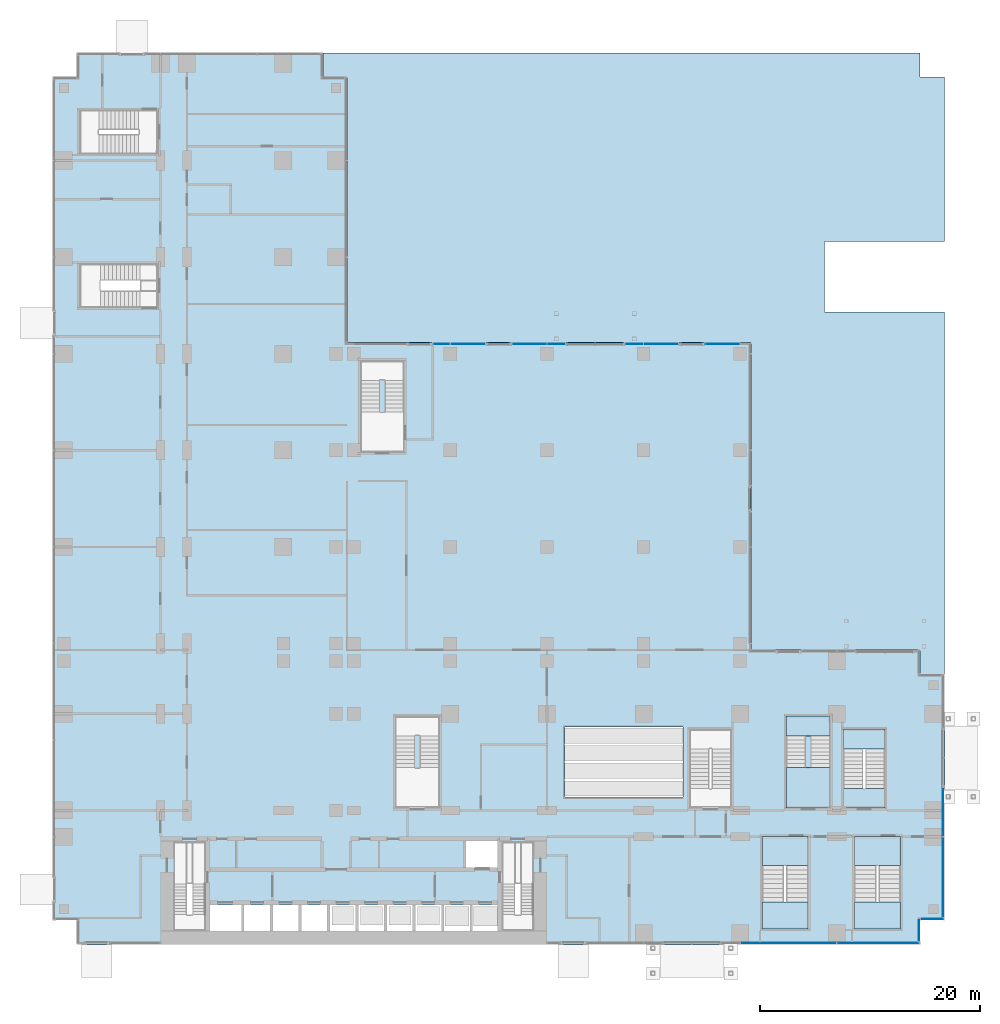
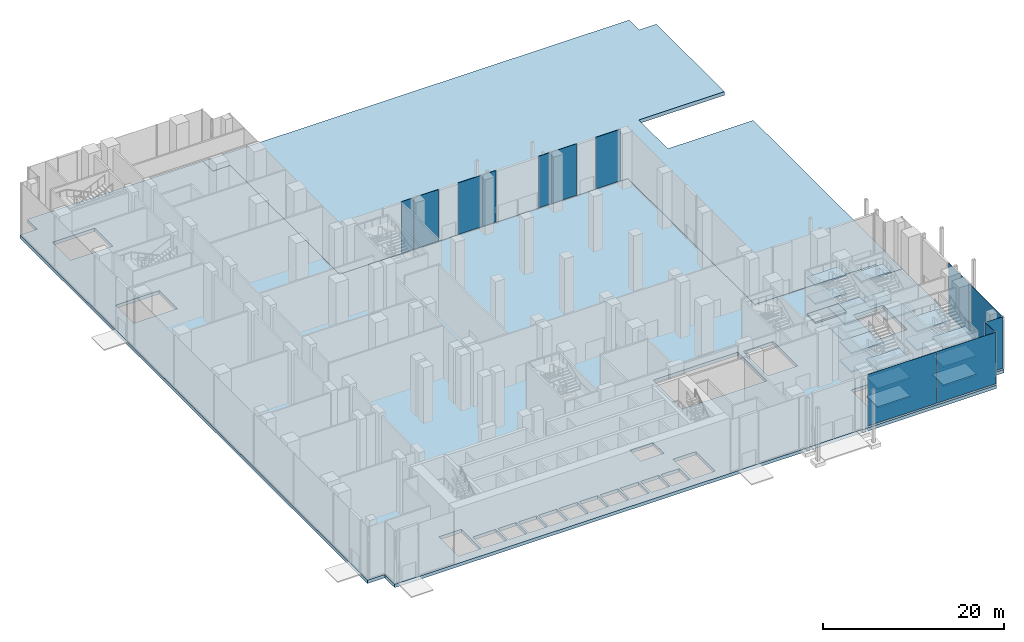
# One storey, part 20 of 41: 20 slabs, 13 plates, 12 elements without a shape of their own.
"""IFC4 building model written with IfcOpenShell, lengths in metres."""

from ifc_helpers import new_model, si_unit, direction, frame, origin, origin_2d, place, context, subcontext, project, spatial, polyline, rectangle, outline, extrude, source, transform, mapped, material, layer, layer_set, type_object, element, aggregate, save


model = new_model("IFC4")

# Units and contexts
model_context = context("Model", 3, precision=1e-05, world=origin(), true_north=direction((0.0, 1.0)))
body_context = subcontext(model_context, "Body", "Model", "MODEL_VIEW")
ifc_project = project(units=[si_unit("LENGTHUNIT", "METRE"), si_unit("AREAUNIT", "SQUARE_METRE"), si_unit("VOLUMEUNIT", "CUBIC_METRE"), si_unit("PLANEANGLEUNIT", "RADIAN"), si_unit("MASSUNIT", "GRAM", prefix="KILO")], contexts=[model_context])

# Site, building, storey
site_placement = place(None, origin())
site = spatial("IfcSite", under=ifc_project, at=site_placement, CompositionType="ELEMENT")
building_placement = place(site_placement, origin())
building = spatial("IfcBuilding", under=site, at=building_placement, Name="Kemantara Hotel Tower", CompositionType="ELEMENT")
storey_placement = place(building_placement, origin())
storey = spatial("IfcBuildingStorey", under=building, at=storey_placement, Name="L00", CompositionType="ELEMENT", Elevation=0.0)

# Slabs
ifc_material_1 = material(Name="Concrete fc 40 MPa", Category="concrete")
ifc_layer_1 = layer(ifc_material_1, 0.449951171875)
ifc_layer_set_1 = layer_set([ifc_layer_1], Name="Concrete fc 40 MPa")
slab_type_1 = type_object("IfcSlabType", Name="REINFORCED DECK SLAB 450", PredefinedType="FLOOR", material=ifc_layer_set_1)
slab_1_placement = place(storey_placement, frame((0.0, 0.0, -0.449951171875)))
element("IfcSlab", 1, at=slab_1_placement, inside=storey, type_object=slab_type_1, Name="FLOOR SLAB L00", PredefinedType="FLOOR", context=body_context, shape_type="SweptSolid", body=[
    extrude(outline(polyline([(0.0, 2.199951171875), (2.199951171875, 2.199951171875), (2.199951171875, 0.0), (79.0, 0.0), (79.0, 2.199951171875), (81.199951171875, 2.199951171875), (81.199951171875, 24.60009765625), (79.0, 24.60009765625), (79.0, 26.800048828125), (63.60009765625, 26.800048828125), (63.60009765625, 54.800048828125), (26.800048828125, 54.800048828125), (26.800048828125, 79.0), (24.60009765625, 79.0), (24.60009765625, 81.199951171875), (2.199951171875, 81.199951171875), (2.199951171875, 79.0), (0.0, 79.0), (0.0, 2.199951171875)]), holes=[polyline([(17.175048828125, 1.199951171875), (14.22509765625, 1.199951171875), (14.22509765625, 3.60009765625), (17.175048828125, 3.60009765625), (17.175048828125, 1.199951171875)]), polyline([(19.77490234375, 1.199951171875), (17.425048828125, 1.199951171875), (17.425048828125, 3.60009765625), (19.77490234375, 3.60009765625), (19.77490234375, 1.199951171875)]), polyline([(22.375, 1.199951171875), (20.02490234375, 1.199951171875), (20.02490234375, 3.60009765625), (22.375, 3.60009765625), (22.375, 1.199951171875)]), polyline([(22.625, 1.199951171875), (22.625, 3.60009765625), (24.97509765625, 3.60009765625), (24.97509765625, 1.199951171875), (22.625, 1.199951171875)]), polyline([(25.22509765625, 1.199951171875), (25.22509765625, 3.60009765625), (27.574951171875, 3.60009765625), (27.574951171875, 1.199951171875), (25.22509765625, 1.199951171875)]), polyline([(30.175048828125, 1.199951171875), (27.824951171875, 1.199951171875), (27.824951171875, 3.60009765625), (30.175048828125, 3.60009765625), (30.175048828125, 1.199951171875)]), polyline([(32.77490234375, 1.199951171875), (30.425048828125, 1.199951171875), (30.425048828125, 3.60009765625), (32.77490234375, 3.60009765625), (32.77490234375, 1.199951171875)]), polyline([(11.0, 1.199951171875), (11.0, 5.49951171875), (13.89990234375, 5.49951171875), (13.89990234375, 1.199951171875), (11.0, 1.199951171875)]), polyline([(7.949462890625, 62.0), (7.949462890625, 58.0), (2.39990234375, 58.0), (2.39990234375, 62.0), (7.949462890625, 62.0)]), polyline([(7.79931640625, 76.0), (7.79931640625, 72.0), (2.39990234375, 72.0), (2.39990234375, 76.0), (7.79931640625, 76.0)]), polyline([(35.375, 1.199951171875), (33.02490234375, 1.199951171875), (33.02490234375, 3.60009765625), (35.375, 3.60009765625), (35.375, 1.199951171875)]), polyline([(37.97509765625, 1.199951171875), (35.625, 1.199951171875), (35.625, 3.60009765625), (37.97509765625, 3.60009765625), (37.97509765625, 1.199951171875)]), polyline([(40.574951171875, 1.199951171875), (38.22509765625, 1.199951171875), (38.22509765625, 3.60009765625), (40.574951171875, 3.60009765625), (40.574951171875, 1.199951171875)]), polyline([(40.89990234375, 5.49951171875), (43.800048828125, 5.49951171875), (43.800048828125, 1.199951171875), (40.89990234375, 1.199951171875), (40.89990234375, 5.49951171875)]), polyline([(64.60009765625, 7.199462890625), (68.800048828125, 7.199462890625), (68.800048828125, 1.39990234375), (64.60009765625, 1.39990234375), (64.60009765625, 7.199462890625)]), polyline([(73.0, 1.39990234375), (73.0, 7.199462890625), (77.199951171875, 7.199462890625), (77.199951171875, 1.39990234375), (73.0, 1.39990234375)]), polyline([(40.574951171875, 7.0), (37.625, 7.0), (37.625, 9.39990234375), (40.574951171875, 9.39990234375), (40.574951171875, 7.0)]), polyline([(57.39990234375, 13.39990234375), (46.60009765625, 13.39990234375), (46.60009765625, 19.800048828125), (57.39990234375, 19.800048828125), (57.39990234375, 13.39990234375)]), polyline([(61.800048828125, 14.20068359375), (58.0, 14.20068359375), (58.0, 19.60009765625), (61.800048828125, 19.60009765625), (61.800048828125, 14.20068359375)]), polyline([(75.800048828125, 14.20068359375), (72.0, 14.20068359375), (72.0, 19.60009765625), (75.800048828125, 19.60009765625), (75.800048828125, 14.20068359375)])]), origin(), (0.0, 0.0, 1.0), 0.449951171875),
])
ifc_layer_2 = layer(ifc_material_1, 0.5)
ifc_layer_set_2 = layer_set([ifc_layer_2], Name="Concrete fc 40 MPa")
slab_type_2 = type_object("IfcSlabType", Name="REINFORCED DECK SLAB 500", PredefinedType="FLOOR", material=ifc_layer_set_2)
slab_2_placement = place(storey_placement, frame((0.0, 0.0, -0.5)))
element("IfcSlab", 2, at=slab_2_placement, inside=storey, type_object=slab_type_2, Name="PLAZA DECK SLAB", PredefinedType="FLOOR", context=body_context, shape_type="SweptSolid", body=[
    extrude(outline(polyline([(81.199951171875, 24.60009765625), (81.199951171875, 57.60009765625), (70.2900390625, 57.60009765625), (70.2900390625, 64.0), (81.199951171875, 64.0), (81.199951171875, 79.0), (79.0, 79.0), (79.0, 81.199951171875), (24.60009765625, 81.199951171875), (24.60009765625, 79.0), (26.800048828125, 79.0), (26.800048828125, 54.800048828125), (63.60009765625, 54.800048828125), (63.60009765625, 26.800048828125), (79.0, 26.800048828125), (79.0, 24.60009765625), (81.199951171875, 24.60009765625)])), origin(), (0.0, 0.0, 1.0), 0.5),
])

# Stair, slabs
stair_type_1 = type_object("IfcStairType", Name="Stair 1800 wide 44 risers of 170 x 360 mm", PredefinedType="HALF_TURN_STAIR", material=ifc_material_1)
stair_1_placement = place(storey_placement, origin())
stair_1 = element("IfcStair", 3, at=stair_1_placement, inside=storey, type_object=stair_type_1, Name="L00 Exit stair ST5", PredefinedType="HALF_TURN_STAIR")
ifc_layer_3 = layer(ifc_material_1, 0.199951171875)
ifc_layer_set_3 = layer_set([ifc_layer_3], Name="Concrete fc 40 MPa")
slab_type_3 = type_object("IfcSlabType", Name="Stair landing 200 mm", PredefinedType="LANDING", material=ifc_layer_set_3)
slab_3_placement = place(storey_placement, frame((0.0, 0.0, 1.675048828125)))
slab_3 = element("IfcSlab", 4, at=slab_3_placement, type_object=slab_type_3, Name="ST5 landing 1", PredefinedType="LANDING", context=body_context, shape_type="SweptSolid", body=[
    extrude(outline(polyline([(75.800048828125, 17.800048828125), (75.800048828125, 19.60009765625), (72.0, 19.60009765625), (72.0, 17.800048828125), (75.800048828125, 17.800048828125)])), origin(), (0.0, 0.0, 1.0), 0.199951171875),
])
slab_4_placement = place(storey_placement, frame((0.0, 0.0, 3.550048828125)))
slab_4 = element("IfcSlab", 5, at=slab_4_placement, type_object=slab_type_3, Name="ST5 landing 2", PredefinedType="LANDING", context=body_context, shape_type="SweptSolid", body=[
    extrude(outline(polyline([(75.800048828125, 12.39990234375), (75.800048828125, 14.199951171875), (72.0, 14.199951171875), (72.0, 12.39990234375), (75.800048828125, 12.39990234375)])), origin(), (0.0, 0.0, 1.0), 0.199951171875),
])
slab_5_placement = place(storey_placement, frame((0.0, 0.0, 5.425048828125)))
slab_5 = element("IfcSlab", 6, at=slab_5_placement, type_object=slab_type_3, Name="ST5 landing 3", PredefinedType="LANDING", context=body_context, shape_type="SweptSolid", body=[
    extrude(outline(polyline([(75.800048828125, 17.800048828125), (75.800048828125, 19.60009765625), (72.0, 19.60009765625), (72.0, 17.800048828125), (75.800048828125, 17.800048828125)])), origin(), (0.0, 0.0, 1.0), 0.199951171875),
])
aggregate(stair_1, [slab_3, slab_4, slab_5])

stair_type_2 = type_object("IfcStairType", Name="Stair 1800 wide 54 risers of 139 x 360 mm", PredefinedType="HALF_TURN_STAIR", material=ifc_material_1)
stair_2_placement = place(storey_placement, origin())
stair_2 = element("IfcStair", 7, at=stair_2_placement, inside=storey, type_object=stair_type_2, Name="L00 Stair PS1", PredefinedType="HALF_TURN_STAIR")
slab_6_placement = place(storey_placement, frame((0.0, 0.0, 1.050048828125)))
slab_6 = element("IfcSlab", 8, at=slab_6_placement, type_object=slab_type_3, Name="PS1 landing 1", PredefinedType="LANDING", context=body_context, shape_type="SweptSolid", body=[
    extrude(outline(polyline([(70.800048828125, 18.97998046875), (70.800048828125, 20.800048828125), (66.800048828125, 20.800048828125), (66.800048828125, 18.97998046875), (70.800048828125, 18.97998046875)])), origin(), (0.0, 0.0, 1.0), 0.199951171875),
])
slab_7_placement = place(storey_placement, frame((0.0, 0.0, 2.300048828125)))
slab_7 = element("IfcSlab", 9, at=slab_7_placement, type_object=slab_type_3, Name="PS1 landing 2", PredefinedType="LANDING", context=body_context, shape_type="SweptSolid", body=[
    extrude(outline(polyline([(70.800048828125, 12.39990234375), (70.800048828125, 16.10009765625), (66.800048828125, 16.10009765625), (66.800048828125, 12.39990234375), (70.800048828125, 12.39990234375)])), origin(), (0.0, 0.0, 1.0), 0.199951171875),
])
slab_8_placement = place(storey_placement, frame((0.0, 0.0, 3.550048828125)))
slab_8 = element("IfcSlab", 10, at=slab_8_placement, type_object=slab_type_3, Name="PS1 landing 3", PredefinedType="LANDING", context=body_context, shape_type="SweptSolid", body=[
    extrude(outline(polyline([(70.800048828125, 18.97998046875), (70.800048828125, 20.800048828125), (66.800048828125, 20.800048828125), (66.800048828125, 18.97998046875), (70.800048828125, 18.97998046875)])), origin(), (0.0, 0.0, 1.0), 0.199951171875),
])
slab_9_placement = place(storey_placement, frame((0.0, 0.0, 4.800048828125)))
slab_9 = element("IfcSlab", 11, at=slab_9_placement, type_object=slab_type_3, Name="PS1 landing 4", PredefinedType="LANDING", context=body_context, shape_type="SweptSolid", body=[
    extrude(outline(polyline([(70.800048828125, 12.39990234375), (70.800048828125, 16.10009765625), (66.800048828125, 16.10009765625), (66.800048828125, 12.39990234375), (70.800048828125, 12.39990234375)])), origin(), (0.0, 0.0, 1.0), 0.199951171875),
])
slab_10_placement = place(storey_placement, frame((0.0, 0.0, 6.050048828125)))
slab_10 = element("IfcSlab", 12, at=slab_10_placement, type_object=slab_type_3, Name="PS1 landing 5", PredefinedType="LANDING", context=body_context, shape_type="SweptSolid", body=[
    extrude(outline(polyline([(70.800048828125, 18.97998046875), (70.800048828125, 20.800048828125), (66.800048828125, 20.800048828125), (66.800048828125, 18.97998046875), (70.800048828125, 18.97998046875)])), origin(), (0.0, 0.0, 1.0), 0.199951171875),
])
aggregate(stair_2, [slab_6, slab_7, slab_8, slab_9, slab_10])

stair_type_3 = type_object("IfcStairType", Name="Stair 2000 wide 54 risers of 139 x 420 mm", PredefinedType="HALF_TURN_STAIR", material=ifc_material_1)
stair_3_placement = place(storey_placement, origin())
stair_3 = element("IfcStair", 13, at=stair_3_placement, inside=storey, type_object=stair_type_3, Name="L00 Stair PS4", PredefinedType="HALF_TURN_STAIR")
slab_11_placement = place(storey_placement, frame((0.0, 0.0, 1.050048828125)))
slab_11 = element("IfcSlab", 14, at=slab_11_placement, type_object=slab_type_3, Name="PS4 landing 1", PredefinedType="LANDING", context=body_context, shape_type="SweptSolid", body=[
    extrude(outline(polyline([(64.60009765625, 3.840087890625), (64.60009765625, 1.39990234375), (68.800048828125, 1.39990234375), (68.800048828125, 3.840087890625), (64.60009765625, 3.840087890625)])), origin(), (0.0, 0.0, 1.0), 0.199951171875),
])
slab_12_placement = place(storey_placement, frame((0.0, 0.0, 2.300048828125)))
slab_12 = element("IfcSlab", 15, at=slab_12_placement, type_object=slab_type_3, Name="PS4 landing 2", PredefinedType="LANDING", context=body_context, shape_type="SweptSolid", body=[
    extrude(outline(polyline([(64.60009765625, 9.800048828125), (64.60009765625, 7.199951171875), (68.800048828125, 7.199951171875), (68.800048828125, 9.800048828125), (64.60009765625, 9.800048828125)])), origin(), (0.0, 0.0, 1.0), 0.199951171875),
])
slab_13_placement = place(storey_placement, frame((0.0, 0.0, 3.550048828125)))
slab_13 = element("IfcSlab", 16, at=slab_13_placement, type_object=slab_type_3, Name="PS4 landing 3", PredefinedType="LANDING", context=body_context, shape_type="SweptSolid", body=[
    extrude(outline(polyline([(64.60009765625, 3.840087890625), (64.60009765625, 1.39990234375), (68.800048828125, 1.39990234375), (68.800048828125, 3.840087890625), (64.60009765625, 3.840087890625)])), origin(), (0.0, 0.0, 1.0), 0.199951171875),
])
slab_14_placement = place(storey_placement, frame((0.0, 0.0, 4.800048828125)))
slab_14 = element("IfcSlab", 17, at=slab_14_placement, type_object=slab_type_3, Name="PS4 landing 4", PredefinedType="LANDING", context=body_context, shape_type="SweptSolid", body=[
    extrude(outline(polyline([(64.60009765625, 9.800048828125), (64.60009765625, 7.199951171875), (68.800048828125, 7.199951171875), (68.800048828125, 9.800048828125), (64.60009765625, 9.800048828125)])), origin(), (0.0, 0.0, 1.0), 0.199951171875),
])
slab_15_placement = place(storey_placement, frame((0.0, 0.0, 6.050048828125)))
slab_15 = element("IfcSlab", 18, at=slab_15_placement, type_object=slab_type_3, Name="PS4 landing 5", PredefinedType="LANDING", context=body_context, shape_type="SweptSolid", body=[
    extrude(outline(polyline([(64.60009765625, 3.840087890625), (64.60009765625, 1.39990234375), (68.800048828125, 1.39990234375), (68.800048828125, 3.840087890625), (64.60009765625, 3.840087890625)])), origin(), (0.0, 0.0, 1.0), 0.199951171875),
])
aggregate(stair_3, [slab_11, slab_12, slab_13, slab_14, slab_15])

stair_4_placement = place(storey_placement, origin())
stair_4 = element("IfcStair", 19, at=stair_4_placement, inside=storey, type_object=stair_type_3, Name="L00 Stair PS5", PredefinedType="HALF_TURN_STAIR")
slab_16_placement = place(storey_placement, frame((0.0, 0.0, 1.050048828125)))
slab_16 = element("IfcSlab", 20, at=slab_16_placement, type_object=slab_type_3, Name="PS5 landing 1", PredefinedType="LANDING", context=body_context, shape_type="SweptSolid", body=[
    extrude(outline(polyline([(73.0, 3.840087890625), (73.0, 1.39990234375), (77.199951171875, 1.39990234375), (77.199951171875, 3.840087890625), (73.0, 3.840087890625)])), origin(), (0.0, 0.0, 1.0), 0.199951171875),
])
slab_17_placement = place(storey_placement, frame((0.0, 0.0, 2.300048828125)))
slab_17 = element("IfcSlab", 21, at=slab_17_placement, type_object=slab_type_3, Name="PS5 landing 2", PredefinedType="LANDING", context=body_context, shape_type="SweptSolid", body=[
    extrude(outline(polyline([(73.0, 9.800048828125), (73.0, 7.199951171875), (77.199951171875, 7.199951171875), (77.199951171875, 9.800048828125), (73.0, 9.800048828125)])), origin(), (0.0, 0.0, 1.0), 0.199951171875),
])
slab_18_placement = place(storey_placement, frame((0.0, 0.0, 3.550048828125)))
slab_18 = element("IfcSlab", 22, at=slab_18_placement, type_object=slab_type_3, Name="PS5 landing 3", PredefinedType="LANDING", context=body_context, shape_type="SweptSolid", body=[
    extrude(outline(polyline([(73.0, 3.840087890625), (73.0, 1.39990234375), (77.199951171875, 1.39990234375), (77.199951171875, 3.840087890625), (73.0, 3.840087890625)])), origin(), (0.0, 0.0, 1.0), 0.199951171875),
])
slab_19_placement = place(storey_placement, frame((0.0, 0.0, 4.800048828125)))
slab_19 = element("IfcSlab", 23, at=slab_19_placement, type_object=slab_type_3, Name="PS5 landing 4", PredefinedType="LANDING", context=body_context, shape_type="SweptSolid", body=[
    extrude(outline(polyline([(73.0, 9.800048828125), (73.0, 7.199951171875), (77.199951171875, 7.199951171875), (77.199951171875, 9.800048828125), (73.0, 9.800048828125)])), origin(), (0.0, 0.0, 1.0), 0.199951171875),
])
slab_20_placement = place(storey_placement, frame((0.0, 0.0, 6.050048828125)))
slab_20 = element("IfcSlab", 24, at=slab_20_placement, type_object=slab_type_3, Name="PS5 landing 5", PredefinedType="LANDING", context=body_context, shape_type="SweptSolid", body=[
    extrude(outline(polyline([(73.0, 3.840087890625), (73.0, 1.39990234375), (77.199951171875, 1.39990234375), (77.199951171875, 3.840087890625), (73.0, 3.840087890625)])), origin(), (0.0, 0.0, 1.0), 0.199951171875),
])
aggregate(stair_4, [slab_16, slab_17, slab_18, slab_19, slab_20])

# Curtain wall, plate
ifc_material_2 = material(Name="Laminated tinted insulated glass 44 mm", Category="glass")
curtain_wall_type = type_object("IfcCurtainWallType", Name="PODIUM GLASS CURTAIN WALL", PredefinedType="USERDEFINED", material=ifc_material_2)
curtain_wall_1_placement = place(storey_placement, origin())
curtain_wall_1 = element("IfcCurtainWall", 25, at=curtain_wall_1_placement, inside=storey, type_object=curtain_wall_type, Name="CW1 L00 POD-R09-2", ObjectType="PODIUM GLASS CURTAIN WALL", PredefinedType="USERDEFINED")
ifc_layer_4 = layer(ifc_material_2, 0.0439453125)
ifc_layer_set_4 = layer_set([ifc_layer_4], Name="Laminated tinted insulated glass 44 mm")
plate_type = type_object("IfcPlateType", Name="PODIUM GLASS CURTAIN WALL PANEL", PredefinedType="CURTAIN_PANEL", material=ifc_layer_set_4)
shared_shape_1 = source(origin(), body_context, "Body", "SweptSolid", [
    extrude(rectangle(XDim=1.625, YDim=0.0439453125, at=origin_2d()), origin(), (0.0, 0.0, 1.0), 6.949951171875),
])
plate_1_placement = place(storey_placement, frame((52.949951171875, 54.699951171875, 0.14990234375), z_axis=(0.0, 0.0, 1.0), x_axis=(-1.0, 0.0, 0.0)))
plate_1 = element("IfcPlate", 26, at=plate_1_placement, type_object=plate_type, Name="CW1 glass panel POD-R09-2.2", PredefinedType="CURTAIN_PANEL", context=body_context, shape_type="MappedRepresentation", body=[
    mapped(shared_shape_1, transform((0.0, 0.0, 0.0))),
])

curtain_wall_2_placement = place(storey_placement, origin())
curtain_wall_2 = element("IfcCurtainWall", 27, at=curtain_wall_2_placement, inside=storey, type_object=curtain_wall_type, Name="CW1 L00 POD-R09-3", ObjectType="PODIUM GLASS CURTAIN WALL", PredefinedType="USERDEFINED")
plate_2_placement = place(storey_placement, frame((45.85009765625, 54.699951171875, 0.14990234375), z_axis=(0.0, 0.0, 1.0), x_axis=(-1.0, 0.0, 0.0)))
plate_2 = element("IfcPlate", 28, at=plate_2_placement, type_object=plate_type, Name="CW1 glass panel POD-R09-3.1", PredefinedType="CURTAIN_PANEL", context=body_context, shape_type="MappedRepresentation", body=[
    mapped(shared_shape_1, transform((0.0, 0.0, 0.0))),
])

# Curtain wall, plates
curtain_wall_3_placement = place(storey_placement, origin())
curtain_wall_3 = element("IfcCurtainWall", 29, at=curtain_wall_3_placement, inside=storey, type_object=curtain_wall_type, Name="CW1 L00 POD-R01-5", ObjectType="PODIUM GLASS CURTAIN WALL", PredefinedType="USERDEFINED")
shared_shape_2 = source(origin(), body_context, "Body", "SweptSolid", [
    extrude(rectangle(XDim=8.72509765625, YDim=0.0439453125, at=origin_2d()), origin(), (0.0, 0.0, 1.0), 6.949951171875),
])
plate_3_placement = place(storey_placement, frame((67.0, 0.10009765625, 0.14990234375), z_axis=(0.0, 0.0, 1.0), x_axis=(1.0, 0.0, 0.0)))
plate_3 = element("IfcPlate", 30, at=plate_3_placement, type_object=plate_type, Name="CW1 glass panel POD-R01-5.2", PredefinedType="CURTAIN_PANEL", context=body_context, shape_type="MappedRepresentation", body=[
    mapped(shared_shape_2, transform((0.0, 0.0, 0.0))),
])
shared_shape_3 = source(origin(), body_context, "Body", "SweptSolid", [
    extrude(rectangle(XDim=7.487548828125, YDim=0.0439453125, at=origin_2d()), origin(), (0.0, 0.0, 1.0), 6.949951171875),
])
plate_4_placement = place(storey_placement, frame((75.18115234375, 0.10009765625, 0.14990234375), z_axis=(0.0, 0.0, 1.0), x_axis=(1.0, 0.0, 0.0)))
plate_4 = element("IfcPlate", 31, at=plate_4_placement, type_object=plate_type, Name="CW1 glass panel POD-R01-5.3", PredefinedType="CURTAIN_PANEL", context=body_context, shape_type="MappedRepresentation", body=[
    mapped(shared_shape_3, transform((0.0, 0.0, 0.0))),
])
aggregate(curtain_wall_3, [plate_3, plate_4])

curtain_wall_4_placement = place(storey_placement, origin())
curtain_wall_4 = element("IfcCurtainWall", 32, at=curtain_wall_4_placement, inside=storey, type_object=curtain_wall_type, Name="CW1 L00 POD-R04-1", ObjectType="PODIUM GLASS CURTAIN WALL", PredefinedType="USERDEFINED")
shared_shape_4 = source(origin(), body_context, "Body", "SweptSolid", [
    extrude(rectangle(XDim=7.28759765625, YDim=0.0439453125, at=origin_2d()), origin(), (0.0, 0.0, 1.0), 6.949951171875),
])
plate_5_placement = place(storey_placement, frame((81.10009765625, 6.11865234375, 0.14990234375), z_axis=(0.0, 0.0, 1.0), x_axis=(0.0, 1.0, 0.0)))
plate_5 = element("IfcPlate", 33, at=plate_5_placement, type_object=plate_type, Name="CW1 glass panel POD-R04-1.1", PredefinedType="CURTAIN_PANEL", context=body_context, shape_type="MappedRepresentation", body=[
    mapped(shared_shape_4, transform((0.0, 0.0, 0.0))),
])
shared_shape_5 = source(origin(), body_context, "Body", "SweptSolid", [
    extrude(rectangle(XDim=4.425048828125, YDim=0.0439453125, at=origin_2d()), origin(), (0.0, 0.0, 1.0), 6.949951171875),
])
plate_6_placement = place(storey_placement, frame((81.10009765625, 12.050048828125, 0.14990234375), z_axis=(0.0, 0.0, 1.0), x_axis=(0.0, 1.0, 0.0)))
plate_6 = element("IfcPlate", 34, at=plate_6_placement, type_object=plate_type, Name="CW1 glass panel POD-R04-1.2", PredefinedType="CURTAIN_PANEL", context=body_context, shape_type="MappedRepresentation", body=[
    mapped(shared_shape_5, transform((0.0, 0.0, 0.0))),
])
aggregate(curtain_wall_4, [plate_5, plate_6])

# Curtain wall, plate
curtain_wall_5_placement = place(storey_placement, origin())
curtain_wall_5 = element("IfcCurtainWall", 35, at=curtain_wall_5_placement, inside=storey, type_object=curtain_wall_type, Name="CW1 L00 POD-R09-1", ObjectType="PODIUM GLASS CURTAIN WALL", PredefinedType="USERDEFINED")
shared_shape_6 = source(origin(), body_context, "Body", "SweptSolid", [
    extrude(rectangle(XDim=3.125, YDim=0.0439453125, at=origin_2d()), origin(), (0.0, 0.0, 1.0), 6.949951171875),
])
plate_7_placement = place(storey_placement, frame((61.0, 54.699951171875, 0.14990234375), z_axis=(0.0, 0.0, 1.0), x_axis=(-1.0, 0.0, 0.0)))
plate_7 = element("IfcPlate", 36, at=plate_7_placement, type_object=plate_type, Name="CW1 glass panel POD-R09-1.2", PredefinedType="CURTAIN_PANEL", context=body_context, shape_type="MappedRepresentation", body=[
    mapped(shared_shape_6, transform((0.0, 0.0, 0.0))),
])
aggregate(curtain_wall_5, [plate_7])

# Plate
plate_8_placement = place(storey_placement, frame((55.39990234375, 54.699951171875, 0.14990234375), z_axis=(0.0, 0.0, 1.0), x_axis=(-1.0, 0.0, 0.0)))
plate_8 = element("IfcPlate", 37, at=plate_8_placement, type_object=plate_type, Name="CW1 glass panel POD-R09-2.1", PredefinedType="CURTAIN_PANEL", context=body_context, shape_type="MappedRepresentation", body=[
    mapped(shared_shape_6, transform((0.0, 0.0, 0.0))),
])

aggregate(curtain_wall_1, [plate_8, plate_1])

plate_9_placement = place(storey_placement, frame((43.39990234375, 54.699951171875, 0.14990234375), z_axis=(0.0, 0.0, 1.0), x_axis=(-1.0, 0.0, 0.0)))
plate_9 = element("IfcPlate", 38, at=plate_9_placement, type_object=plate_type, Name="CW1 glass panel POD-R09-3.2", PredefinedType="CURTAIN_PANEL", context=body_context, shape_type="MappedRepresentation", body=[
    mapped(shared_shape_6, transform((0.0, 0.0, 0.0))),
])

aggregate(curtain_wall_2, [plate_2, plate_9])

# Curtain wall, plates
curtain_wall_6_placement = place(storey_placement, origin())
curtain_wall_6 = element("IfcCurtainWall", 39, at=curtain_wall_6_placement, inside=storey, type_object=curtain_wall_type, Name="CW1 L00 POD-R09-4", ObjectType="PODIUM GLASS CURTAIN WALL", PredefinedType="USERDEFINED")
plate_10_placement = place(storey_placement, frame((37.800048828125, 54.699951171875, 0.14990234375), z_axis=(0.0, 0.0, 1.0), x_axis=(-1.0, 0.0, 0.0)))
plate_10 = element("IfcPlate", 40, at=plate_10_placement, type_object=plate_type, Name="CW1 glass panel POD-R09-4.1", PredefinedType="CURTAIN_PANEL", context=body_context, shape_type="MappedRepresentation", body=[
    mapped(shared_shape_6, transform((0.0, 0.0, 0.0))),
])
shared_shape_7 = source(origin(), body_context, "Body", "SweptSolid", [
    extrude(rectangle(XDim=1.52490234375, YDim=0.0439453125, at=origin_2d()), origin(), (0.0, 0.0, 1.0), 6.949951171875),
])
plate_11_placement = place(storey_placement, frame((35.39990234375, 54.699951171875, 0.14990234375), z_axis=(0.0, 0.0, 1.0), x_axis=(-1.0, 0.0, 0.0)))
plate_11 = element("IfcPlate", 41, at=plate_11_placement, type_object=plate_type, Name="CW1 glass panel POD-R09-4.2", PredefinedType="CURTAIN_PANEL", context=body_context, shape_type="MappedRepresentation", body=[
    mapped(shared_shape_7, transform((0.0, 0.0, 0.0))),
])
aggregate(curtain_wall_6, [plate_10, plate_11])

# Curtain wall, plate
curtain_wall_7_placement = place(storey_placement, origin())
curtain_wall_7 = element("IfcCurtainWall", 42, at=curtain_wall_7_placement, inside=storey, type_object=curtain_wall_type, Name="CW1 L00 POD-R02-1", ObjectType="PODIUM GLASS CURTAIN WALL", PredefinedType="USERDEFINED")
shared_shape_8 = source(origin(), body_context, "Body", "SweptSolid", [
    extrude(rectangle(XDim=2.050048828125, YDim=0.0439453125, at=origin_2d()), origin(), (0.0, 0.0, 1.0), 6.949951171875),
])
plate_12_placement = place(storey_placement, frame((78.89990234375, 1.300048828125, 0.14990234375), z_axis=(0.0, 0.0, 1.0), x_axis=(0.0, 1.0, 0.0)))
plate_12 = element("IfcPlate", 43, at=plate_12_placement, type_object=plate_type, Name="CW1 glass panel POD-R02-1.1", PredefinedType="CURTAIN_PANEL", context=body_context, shape_type="MappedRepresentation", body=[
    mapped(shared_shape_8, transform((0.0, 0.0, 0.0))),
])
aggregate(curtain_wall_7, [plate_12])

curtain_wall_8_placement = place(storey_placement, origin())
curtain_wall_8 = element("IfcCurtainWall", 44, at=curtain_wall_8_placement, inside=storey, type_object=curtain_wall_type, Name="CW1 L00 POD-R03-1", ObjectType="PODIUM GLASS CURTAIN WALL", PredefinedType="USERDEFINED")
plate_13_placement = place(storey_placement, frame((80.10009765625, 2.300048828125, 0.14990234375), z_axis=(0.0, 0.0, 1.0), x_axis=(1.0, 0.0, 0.0)))
plate_13 = element("IfcPlate", 45, at=plate_13_placement, type_object=plate_type, Name="CW1 glass panel POD-R03-1.1", PredefinedType="CURTAIN_PANEL", context=body_context, shape_type="MappedRepresentation", body=[
    mapped(shared_shape_8, transform((0.0, 0.0, 0.0))),
])
aggregate(curtain_wall_8, [plate_13])

save(model, "model.ifc")
